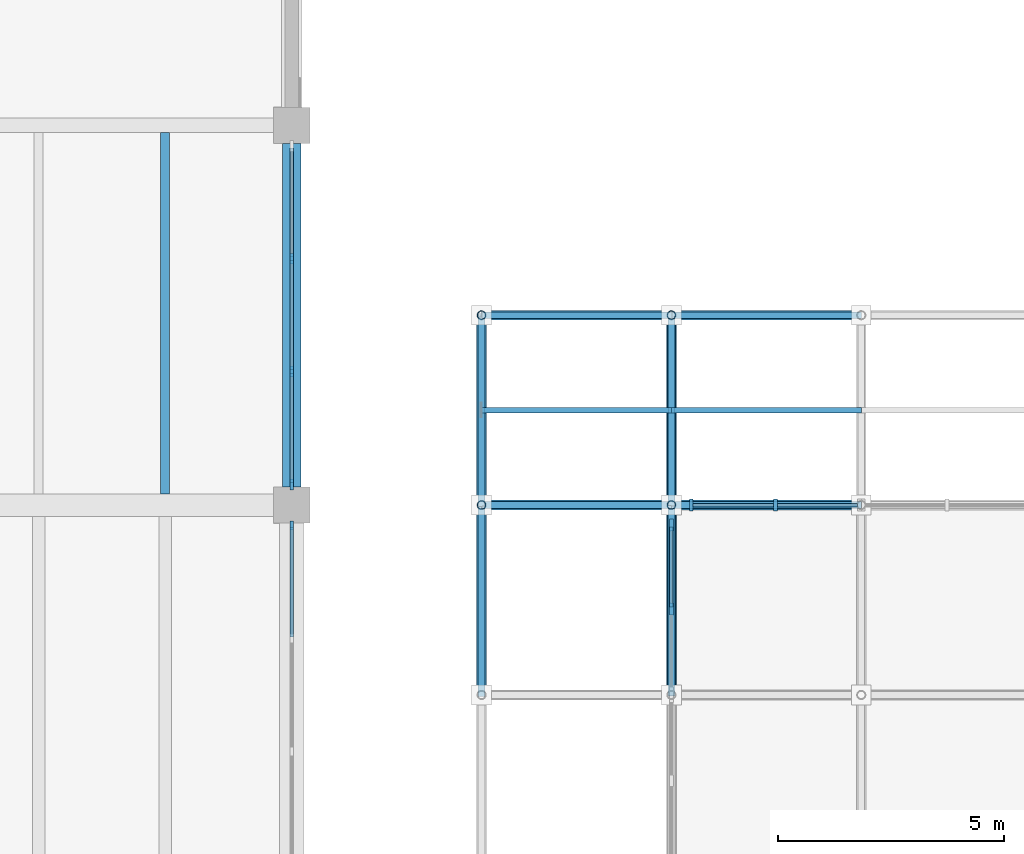
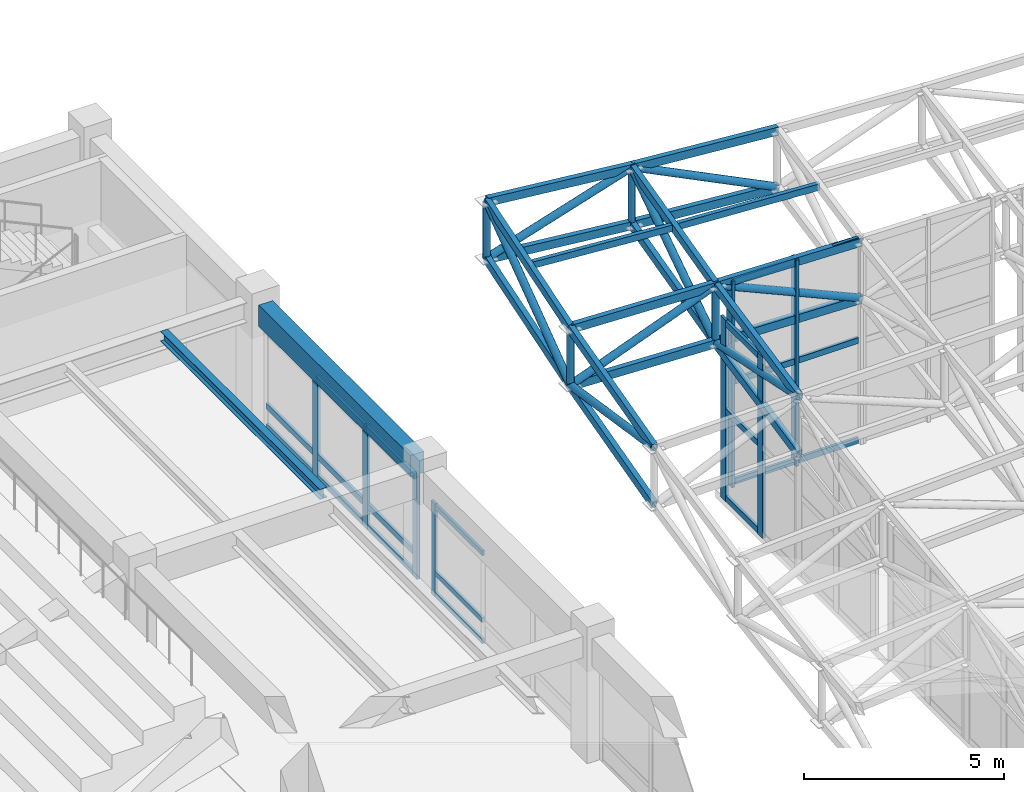
# One storey, part 30 of 132: 58 members, 2 beams, 4 elements without a shape of their own.
"""IFC4 building model written with IfcOpenShell, lengths in metres."""

from ifc_helpers import new_model, si_unit, direction, frame, origin, origin_2d, place, context, subcontext, project, spatial, rectangle, hollow_rectangle, hollow_circle, i_section, extrude, material, material_profile, profile_set, type_object, element, aggregate, save


model = new_model("IFC4")

# Units and contexts
model_context = context("Model", 3, precision=1e-05, world=origin(), true_north=direction((0.0, 1.0)))
body_context = subcontext(model_context, "Body", "Model", "MODEL_VIEW")
ifc_project = project(units=[si_unit("LENGTHUNIT", "METRE"), si_unit("AREAUNIT", "SQUARE_METRE"), si_unit("VOLUMEUNIT", "CUBIC_METRE"), si_unit("PLANEANGLEUNIT", "RADIAN"), si_unit("MASSUNIT", "GRAM", prefix="KILO")], contexts=[model_context])

# Site, building, storey
site_placement = place(None, origin())
site = spatial("IfcSite", under=ifc_project, at=site_placement, CompositionType="ELEMENT")
building_placement = place(site_placement, origin())
building = spatial("IfcBuilding", under=site, at=building_placement, Name="Cumbredor Promenade Congress Hotel", CompositionType="ELEMENT")
storey_placement = place(building_placement, frame((0.0, 0.0, 7.56005859375)))
storey = spatial("IfcBuildingStorey", under=building, at=storey_placement, Name="L02", CompositionType="ELEMENT", Elevation=7.56005859375)

# Beam
ifc_material_1 = material(Name="Concrete C40/50", Category="concrete")
ifc_material_profile_1 = material_profile(ifc_material_1, rectangle(XDim=0.39990234375, YDim=0.64990234375, at=origin_2d()), Name="RC BEAM 400x650")
ifc_profile_set_1 = profile_set([ifc_material_profile_1], Name="Concrete C40/50")
beam_type_1 = type_object("IfcBeamType", Name="BM-RC-400x650", PredefinedType="BEAM", material=ifc_profile_set_1)
beam_1_placement = place(storey_placement, frame((67.199951171875, 50.800048828125, 3.474853515625), z_axis=(0.0, 1.0, 0.0), x_axis=(-1.0, 0.0, 0.0)))
element("IfcBeam", 1, at=beam_1_placement, inside=storey, type_object=beam_type_1, Name="L03 Y-Grid Beam 120", PredefinedType="BEAM", context=body_context, shape_type="SweptSolid", body=[
    extrude(rectangle(XDim=0.39990234375, YDim=0.64990234375, at=origin_2d()), origin(), (0.0, 0.0, 1.0), 7.599853515625),
])

# Curtain wall, member
ifc_material_2 = material(Name="Thermally broken anodized aluminium and low-E glass", Category="aluminium")
curtain_wall_type_1 = type_object("IfcCurtainWallType", Name="Unitised Bronze Curtain Wall CW-01", PredefinedType="NOTDEFINED", material=ifc_material_2)
curtain_wall_1_placement = place(storey_placement, origin())
curtain_wall_1 = element("IfcCurtainWall", 2, at=curtain_wall_1_placement, inside=storey, type_object=curtain_wall_type_1, Name="L02 Plenary Congress Hall East Curtain Wall 5", PredefinedType="NOTDEFINED")
ifc_material_3 = material(Name="Thermally broken anodized aluminium", Category="aluminium")
ifc_material_profile_2 = material_profile(ifc_material_3, rectangle(XDim=0.074951171875, YDim=0.199951171875, at=origin_2d()), Name="ALU MULLION 75x200")
ifc_profile_set_2 = profile_set([ifc_material_profile_2], Name="Thermally broken anodized aluminium")
member_type_1 = type_object("IfcMemberType", Name="Curtain Wall Mullion ML-02", PredefinedType="MULLION", material=ifc_profile_set_2)
member_1_placement = place(storey_placement, frame((67.199951171875, 49.945068359375, -0.008056640625), z_axis=(0.0, 0.0, 1.0), x_axis=(1.0, 0.0, 0.0)))
member_1 = element("IfcMember", 3, at=member_1_placement, type_object=member_type_1, Name="L02 Plenary Congress Hall East Curtain Wall 5 Mullion 4", PredefinedType="MULLION", context=body_context, shape_type="SweptSolid", body=[
    extrude(rectangle(XDim=0.074951171875, YDim=0.199951171875, at=origin_2d()), origin(), (0.0, 0.0, 1.0), 2.85107421875),
])

# Curtain wall, members
curtain_wall_2_placement = place(storey_placement, origin())
curtain_wall_2 = element("IfcCurtainWall", 4, at=curtain_wall_2_placement, inside=storey, type_object=curtain_wall_type_1, Name="L02 Plenary Congress Hall East Curtain Wall 6", PredefinedType="NOTDEFINED")
ifc_material_profile_3 = material_profile(ifc_material_3, rectangle(XDim=0.080078125, YDim=0.239990234375, at=origin_2d()), Name="ALU MULLION 80x240")
ifc_profile_set_3 = profile_set([ifc_material_profile_3], Name="Thermally broken anodized aluminium")
member_type_2 = type_object("IfcMemberType", Name="Curtain Wall Mullion ML-03", PredefinedType="MULLION", material=ifc_profile_set_3)
member_2_placement = place(storey_placement, frame((67.199951171875, 50.85498046875, -0.008056640625), z_axis=(0.0, 0.0, 1.0), x_axis=(1.0, 0.0, 0.0)))
member_2 = element("IfcMember", 5, at=member_2_placement, type_object=member_type_2, Name="L02 Plenary Congress Hall East Curtain Wall 6 Mullion 1", PredefinedType="MULLION", context=body_context, shape_type="SweptSolid", body=[
    extrude(rectangle(XDim=0.080078125, YDim=0.239990234375, at=origin_2d()), origin(), (0.0, 0.0, 1.0), 3.15087890625),
])
member_3_placement = place(storey_placement, frame((67.199951171875, 53.351806640625, -0.008056640625), z_axis=(0.0, 0.0, 1.0), x_axis=(1.0, 0.0, 0.0)))
member_3 = element("IfcMember", 6, at=member_3_placement, type_object=member_type_2, Name="L02 Plenary Congress Hall East Curtain Wall 6 Mullion 2", PredefinedType="MULLION", context=body_context, shape_type="SweptSolid", body=[
    extrude(rectangle(XDim=0.080078125, YDim=0.239990234375, at=origin_2d()), origin(), (0.0, 0.0, 1.0), 3.15087890625),
])
member_4_placement = place(storey_placement, frame((67.199951171875, 55.848388671875, -0.008056640625), z_axis=(0.0, 0.0, 1.0), x_axis=(1.0, 0.0, 0.0)))
member_4 = element("IfcMember", 7, at=member_4_placement, type_object=member_type_2, Name="L02 Plenary Congress Hall East Curtain Wall 6 Mullion 3", PredefinedType="MULLION", context=body_context, shape_type="SweptSolid", body=[
    extrude(rectangle(XDim=0.080078125, YDim=0.239990234375, at=origin_2d()), origin(), (0.0, 0.0, 1.0), 3.15087890625),
])

curtain_wall_type_2 = type_object("IfcCurtainWallType", Name="Stepped Pavilion Clerestory Curtain Wall CW-06", PredefinedType="NOTDEFINED", material=ifc_material_2)
curtain_wall_3_placement = place(storey_placement, origin())
curtain_wall_3 = element("IfcCurtainWall", 8, at=curtain_wall_3_placement, inside=storey, type_object=curtain_wall_type_2, Name="Thermal Spa and Hydrotherapy Pavilion N Glazed Clerestory 1", PredefinedType="NOTDEFINED")
ifc_material_profile_4 = material_profile(ifc_material_3, rectangle(XDim=0.0849609375, YDim=0.260009765625, at=origin_2d()), Name="ALU MULLION CLERESTORY 85x260")
ifc_profile_set_4 = profile_set([ifc_material_profile_4], Name="Thermally broken anodized aluminium")
member_type_3 = type_object("IfcMemberType", Name="Curtain Wall Mullion ML-04", PredefinedType="MULLION", material=ifc_profile_set_4)
member_5_placement = place(storey_placement, frame((76.0400390625, 50.39990234375, -0.01806640625), z_axis=(0.0, 0.0, 1.0), x_axis=(1.0, 0.0, 0.0)))
member_5 = element("IfcMember", 9, at=member_5_placement, type_object=member_type_3, Name="Thermal Spa and Hydrotherapy Pavilion N Glazed Clerestory 1 Mullion 1", PredefinedType="MULLION", context=body_context, shape_type="SweptSolid", body=[
    extrude(rectangle(XDim=0.0849609375, YDim=0.260009765625, at=origin_2d()), origin(), (0.0, 0.0, 1.0), 6.31103515625),
])
member_6_placement = place(storey_placement, frame((77.89990234375, 50.39990234375, -0.01806640625), z_axis=(0.0, 0.0, 1.0), x_axis=(1.0, 0.0, 0.0)))
member_6 = element("IfcMember", 10, at=member_6_placement, type_object=member_type_3, Name="Thermal Spa and Hydrotherapy Pavilion N Glazed Clerestory 1 Mullion 2", PredefinedType="MULLION", context=body_context, shape_type="SweptSolid", body=[
    extrude(rectangle(XDim=0.0849609375, YDim=0.260009765625, at=origin_2d()), origin(), (0.0, 0.0, 1.0), 6.31103515625),
])

curtain_wall_4_placement = place(storey_placement, origin())
curtain_wall_4 = element("IfcCurtainWall", 11, at=curtain_wall_4_placement, inside=storey, type_object=curtain_wall_type_2, Name="Thermal Spa and Hydrotherapy Pavilion W Glazed Clerestory 10", PredefinedType="NOTDEFINED")
member_7_placement = place(storey_placement, frame((75.60009765625, 48.10009765625, -0.01806640625), z_axis=(0.0, 0.0, 1.0), x_axis=(1.0, 0.0, 0.0)))
member_7 = element("IfcMember", 12, at=member_7_placement, type_object=member_type_3, Name="Thermal Spa and Hydrotherapy Pavilion W Glazed Clerestory 10 Mullion 2", PredefinedType="MULLION", context=body_context, shape_type="SweptSolid", body=[
    extrude(rectangle(XDim=0.0849609375, YDim=0.260009765625, at=origin_2d()), origin(), (0.0, 0.0, 1.0), 5.54931640625),
])
member_8_placement = place(storey_placement, frame((75.60009765625, 49.9599609375, -0.01806640625), z_axis=(0.0, 0.0, 1.0), x_axis=(1.0, 0.0, 0.0)))
member_8 = element("IfcMember", 13, at=member_8_placement, type_object=member_type_3, Name="Thermal Spa and Hydrotherapy Pavilion W Glazed Clerestory 10 Mullion 3", PredefinedType="MULLION", context=body_context, shape_type="SweptSolid", body=[
    extrude(rectangle(XDim=0.0849609375, YDim=0.260009765625, at=origin_2d()), origin(), (0.0, 0.0, 1.0), 5.54931640625),
])

# Member
ifc_material_profile_5 = material_profile(ifc_material_3, rectangle(XDim=0.074951171875, YDim=0.14990234375, at=origin_2d()), Name="ALU TRANSOM 75x150")
ifc_profile_set_5 = profile_set([ifc_material_profile_5], Name="Thermally broken anodized aluminium")
member_type_4 = type_object("IfcMemberType", Name="Curtain Wall Transom TR-02", PredefinedType="USERDEFINED", material=ifc_profile_set_5)
member_9_placement = place(storey_placement, frame((67.199951171875, 47.48583984375, 0.06982421875), z_axis=(0.0, 1.0, 0.0), x_axis=(-1.0, 0.0, 0.0)))
member_9 = element("IfcMember", 14, at=member_9_placement, type_object=member_type_4, Name="L02 Plenary Congress Hall East Curtain Wall 5 Transom 3.1", ObjectType="TRANSOM", PredefinedType="USERDEFINED", context=body_context, shape_type="SweptSolid", body=[
    extrude(rectangle(XDim=0.074951171875, YDim=0.14990234375, at=origin_2d()), origin(), (0.0, 0.0, 1.0), 2.421630859375),
])

member_10_placement = place(storey_placement, frame((67.199951171875, 47.48583984375, 0.719970703125), z_axis=(0.0, 1.0, 0.0), x_axis=(-1.0, 0.0, 0.0)))
member_10 = element("IfcMember", 15, at=member_10_placement, type_object=member_type_4, Name="L02 Plenary Congress Hall East Curtain Wall 5 Transom 3.2", ObjectType="TRANSOM", PredefinedType="USERDEFINED", context=body_context, shape_type="SweptSolid", body=[
    extrude(rectangle(XDim=0.074951171875, YDim=0.14990234375, at=origin_2d()), origin(), (0.0, 0.0, 1.0), 2.421630859375),
])

member_11_placement = place(storey_placement, frame((67.199951171875, 47.48583984375, 2.760009765625), z_axis=(0.0, 1.0, 0.0), x_axis=(-1.0, 0.0, 0.0)))
member_11 = element("IfcMember", 16, at=member_11_placement, type_object=member_type_4, Name="L02 Plenary Congress Hall East Curtain Wall 5 Transom 3.3", ObjectType="TRANSOM", PredefinedType="USERDEFINED", context=body_context, shape_type="SweptSolid", body=[
    extrude(rectangle(XDim=0.074951171875, YDim=0.14990234375, at=origin_2d()), origin(), (0.0, 0.0, 1.0), 2.421630859375),
])

aggregate(curtain_wall_1, [member_1, member_9, member_10, member_11])

ifc_material_profile_6 = material_profile(ifc_material_3, rectangle(XDim=0.080078125, YDim=0.179931640625, at=origin_2d()), Name="ALU TRANSOM 80x180")
ifc_profile_set_6 = profile_set([ifc_material_profile_6], Name="Thermally broken anodized aluminium")
member_type_5 = type_object("IfcMemberType", Name="Curtain Wall Transom TR-03", PredefinedType="USERDEFINED", material=ifc_profile_set_6)
member_12_placement = place(storey_placement, frame((67.199951171875, 50.89501953125, 0.08984375), z_axis=(0.0, 1.0, 0.0), x_axis=(-1.0, 0.0, 0.0)))
member_12 = element("IfcMember", 17, at=member_12_placement, type_object=member_type_5, Name="L02 Plenary Congress Hall East Curtain Wall 6 Transom 1.1", ObjectType="TRANSOM", PredefinedType="USERDEFINED", context=body_context, shape_type="SweptSolid", body=[
    extrude(rectangle(XDim=0.080078125, YDim=0.179931640625, at=origin_2d()), origin(), (0.0, 0.0, 1.0), 2.416748046875),
])

member_13_placement = place(storey_placement, frame((67.199951171875, 50.89501953125, 0.719970703125), z_axis=(0.0, 1.0, 0.0), x_axis=(-1.0, 0.0, 0.0)))
member_13 = element("IfcMember", 18, at=member_13_placement, type_object=member_type_5, Name="L02 Plenary Congress Hall East Curtain Wall 6 Transom 1.2", ObjectType="TRANSOM", PredefinedType="USERDEFINED", context=body_context, shape_type="SweptSolid", body=[
    extrude(rectangle(XDim=0.080078125, YDim=0.179931640625, at=origin_2d()), origin(), (0.0, 0.0, 1.0), 2.416748046875),
])

member_14_placement = place(storey_placement, frame((67.199951171875, 50.89501953125, 3.050048828125), z_axis=(0.0, 1.0, 0.0), x_axis=(-1.0, 0.0, 0.0)))
member_14 = element("IfcMember", 19, at=member_14_placement, type_object=member_type_5, Name="L02 Plenary Congress Hall East Curtain Wall 6 Transom 1.3", ObjectType="TRANSOM", PredefinedType="USERDEFINED", context=body_context, shape_type="SweptSolid", body=[
    extrude(rectangle(XDim=0.080078125, YDim=0.179931640625, at=origin_2d()), origin(), (0.0, 0.0, 1.0), 2.416748046875),
])

member_15_placement = place(storey_placement, frame((67.199951171875, 53.3916015625, 0.08984375), z_axis=(0.0, 1.0, 0.0), x_axis=(-1.0, 0.0, 0.0)))
member_15 = element("IfcMember", 20, at=member_15_placement, type_object=member_type_5, Name="L02 Plenary Congress Hall East Curtain Wall 6 Transom 2.1", ObjectType="TRANSOM", PredefinedType="USERDEFINED", context=body_context, shape_type="SweptSolid", body=[
    extrude(rectangle(XDim=0.080078125, YDim=0.179931640625, at=origin_2d()), origin(), (0.0, 0.0, 1.0), 2.416748046875),
])

member_16_placement = place(storey_placement, frame((67.199951171875, 53.3916015625, 0.719970703125), z_axis=(0.0, 1.0, 0.0), x_axis=(-1.0, 0.0, 0.0)))
member_16 = element("IfcMember", 21, at=member_16_placement, type_object=member_type_5, Name="L02 Plenary Congress Hall East Curtain Wall 6 Transom 2.2", ObjectType="TRANSOM", PredefinedType="USERDEFINED", context=body_context, shape_type="SweptSolid", body=[
    extrude(rectangle(XDim=0.080078125, YDim=0.179931640625, at=origin_2d()), origin(), (0.0, 0.0, 1.0), 2.416748046875),
])

member_17_placement = place(storey_placement, frame((67.199951171875, 53.3916015625, 3.050048828125), z_axis=(0.0, 1.0, 0.0), x_axis=(-1.0, 0.0, 0.0)))
member_17 = element("IfcMember", 22, at=member_17_placement, type_object=member_type_5, Name="L02 Plenary Congress Hall East Curtain Wall 6 Transom 2.3", ObjectType="TRANSOM", PredefinedType="USERDEFINED", context=body_context, shape_type="SweptSolid", body=[
    extrude(rectangle(XDim=0.080078125, YDim=0.179931640625, at=origin_2d()), origin(), (0.0, 0.0, 1.0), 2.416748046875),
])

member_18_placement = place(storey_placement, frame((67.199951171875, 55.88818359375, 0.08984375), z_axis=(0.0, 1.0, 0.0), x_axis=(-1.0, 0.0, 0.0)))
member_18 = element("IfcMember", 23, at=member_18_placement, type_object=member_type_5, Name="L02 Plenary Congress Hall East Curtain Wall 6 Transom 3.1", ObjectType="TRANSOM", PredefinedType="USERDEFINED", context=body_context, shape_type="SweptSolid", body=[
    extrude(rectangle(XDim=0.080078125, YDim=0.179931640625, at=origin_2d()), origin(), (0.0, 0.0, 1.0), 2.416748046875),
])

member_19_placement = place(storey_placement, frame((67.199951171875, 55.88818359375, 0.719970703125), z_axis=(0.0, 1.0, 0.0), x_axis=(-1.0, 0.0, 0.0)))
member_19 = element("IfcMember", 24, at=member_19_placement, type_object=member_type_5, Name="L02 Plenary Congress Hall East Curtain Wall 6 Transom 3.2", ObjectType="TRANSOM", PredefinedType="USERDEFINED", context=body_context, shape_type="SweptSolid", body=[
    extrude(rectangle(XDim=0.080078125, YDim=0.179931640625, at=origin_2d()), origin(), (0.0, 0.0, 1.0), 2.416748046875),
])

aggregate(curtain_wall_2, [member_2, member_3, member_4, member_12, member_13, member_14, member_15, member_16, member_17, member_18, member_19])

member_20_placement = place(storey_placement, frame((76.08251953125, 50.39990234375, 0.079833984375), z_axis=(1.0, 0.0, 0.0), x_axis=(0.0, 1.0, 0.0)))
member_20 = element("IfcMember", 25, at=member_20_placement, type_object=member_type_5, Name="Thermal Spa and Hydrotherapy Pavilion N Glazed Clerestory 1 Transom 1.1", ObjectType="TRANSOM", PredefinedType="USERDEFINED", context=body_context, shape_type="SweptSolid", body=[
    extrude(rectangle(XDim=0.080078125, YDim=0.179931640625, at=origin_2d()), origin(), (0.0, 0.0, 1.0), 1.77490234375),
])

member_21_placement = place(storey_placement, frame((76.08251953125, 50.39990234375, 3.139892578125), z_axis=(1.0, 0.0, 0.0), x_axis=(0.0, 1.0, 0.0)))
member_21 = element("IfcMember", 26, at=member_21_placement, type_object=member_type_5, Name="Thermal Spa and Hydrotherapy Pavilion N Glazed Clerestory 1 Transom 1.2", ObjectType="TRANSOM", PredefinedType="USERDEFINED", context=body_context, shape_type="SweptSolid", body=[
    extrude(rectangle(XDim=0.080078125, YDim=0.179931640625, at=origin_2d()), origin(), (0.0, 0.0, 1.0), 1.77490234375),
])

member_22_placement = place(storey_placement, frame((76.08251953125, 50.39990234375, 6.199951171875), z_axis=(1.0, 0.0, 0.0), x_axis=(0.0, 1.0, 0.0)))
member_22 = element("IfcMember", 27, at=member_22_placement, type_object=member_type_5, Name="Thermal Spa and Hydrotherapy Pavilion N Glazed Clerestory 1 Transom 1.3", ObjectType="TRANSOM", PredefinedType="USERDEFINED", context=body_context, shape_type="SweptSolid", body=[
    extrude(rectangle(XDim=0.080078125, YDim=0.179931640625, at=origin_2d()), origin(), (0.0, 0.0, 1.0), 1.77490234375),
])

member_23_placement = place(storey_placement, frame((77.9423828125, 50.39990234375, 0.079833984375), z_axis=(1.0, 0.0, 0.0), x_axis=(0.0, 1.0, 0.0)))
member_23 = element("IfcMember", 28, at=member_23_placement, type_object=member_type_5, Name="Thermal Spa and Hydrotherapy Pavilion N Glazed Clerestory 1 Transom 2.1", ObjectType="TRANSOM", PredefinedType="USERDEFINED", context=body_context, shape_type="SweptSolid", body=[
    extrude(rectangle(XDim=0.080078125, YDim=0.179931640625, at=origin_2d()), origin(), (0.0, 0.0, 1.0), 1.775146484375),
])

member_24_placement = place(storey_placement, frame((77.9423828125, 50.39990234375, 3.139892578125), z_axis=(1.0, 0.0, 0.0), x_axis=(0.0, 1.0, 0.0)))
member_24 = element("IfcMember", 29, at=member_24_placement, type_object=member_type_5, Name="Thermal Spa and Hydrotherapy Pavilion N Glazed Clerestory 1 Transom 2.2", ObjectType="TRANSOM", PredefinedType="USERDEFINED", context=body_context, shape_type="SweptSolid", body=[
    extrude(rectangle(XDim=0.080078125, YDim=0.179931640625, at=origin_2d()), origin(), (0.0, 0.0, 1.0), 1.775146484375),
])

member_25_placement = place(storey_placement, frame((77.9423828125, 50.39990234375, 6.199951171875), z_axis=(1.0, 0.0, 0.0), x_axis=(0.0, 1.0, 0.0)))
member_25 = element("IfcMember", 30, at=member_25_placement, type_object=member_type_5, Name="Thermal Spa and Hydrotherapy Pavilion N Glazed Clerestory 1 Transom 2.3", ObjectType="TRANSOM", PredefinedType="USERDEFINED", context=body_context, shape_type="SweptSolid", body=[
    extrude(rectangle(XDim=0.080078125, YDim=0.179931640625, at=origin_2d()), origin(), (0.0, 0.0, 1.0), 1.775146484375),
])

aggregate(curtain_wall_3, [member_5, member_6, member_20, member_21, member_22, member_23, member_24, member_25])

member_26_placement = place(storey_placement, frame((75.60009765625, 48.142578125, 0.079833984375), z_axis=(0.0, 1.0, 0.0), x_axis=(-1.0, 0.0, 0.0)))
member_26 = element("IfcMember", 31, at=member_26_placement, type_object=member_type_5, Name="Thermal Spa and Hydrotherapy Pavilion W Glazed Clerestory 10 Transom 2.1", ObjectType="TRANSOM", PredefinedType="USERDEFINED", context=body_context, shape_type="SweptSolid", body=[
    extrude(rectangle(XDim=0.080078125, YDim=0.179931640625, at=origin_2d()), origin(), (0.0, 0.0, 1.0), 1.77490234375),
])

member_27_placement = place(storey_placement, frame((75.60009765625, 48.142578125, 2.75), z_axis=(0.0, 1.0, 0.0), x_axis=(-1.0, 0.0, 0.0)))
member_27 = element("IfcMember", 32, at=member_27_placement, type_object=member_type_5, Name="Thermal Spa and Hydrotherapy Pavilion W Glazed Clerestory 10 Transom 2.2", ObjectType="TRANSOM", PredefinedType="USERDEFINED", context=body_context, shape_type="SweptSolid", body=[
    extrude(rectangle(XDim=0.080078125, YDim=0.179931640625, at=origin_2d()), origin(), (0.0, 0.0, 1.0), 1.77490234375),
])

member_28_placement = place(storey_placement, frame((75.60009765625, 48.142578125, 5.429931640625), z_axis=(0.0, 1.0, 0.0), x_axis=(-1.0, 0.0, 0.0)))
member_28 = element("IfcMember", 33, at=member_28_placement, type_object=member_type_5, Name="Thermal Spa and Hydrotherapy Pavilion W Glazed Clerestory 10 Transom 2.3", ObjectType="TRANSOM", PredefinedType="USERDEFINED", context=body_context, shape_type="SweptSolid", body=[
    extrude(rectangle(XDim=0.080078125, YDim=0.179931640625, at=origin_2d()), origin(), (0.0, 0.0, 1.0), 1.77490234375),
])

aggregate(curtain_wall_4, [member_7, member_8, member_26, member_27, member_28])

# Beam
ifc_material_4 = material(Name="Steel ASTM A992 Grade 50", Category="steel")
ifc_material_profile_7 = material_profile(ifc_material_4, i_section(OverallWidth=0.202880859375, OverallDepth=0.302978515625, WebThickness=0.007568359375, FlangeThickness=0.01318359375, at=origin_2d()), Name="W12X40")
ifc_profile_set_7 = profile_set([ifc_material_profile_7], Name="Steel ASTM A992 Grade 50")
beam_type_2 = type_object("IfcBeamType", Name="JST-W12X40", PredefinedType="JOIST", material=ifc_profile_set_7)
beam_2_placement = place(storey_placement, frame((64.39990234375, 50.64990234375, 3.6484375), z_axis=(0.0, 1.0, 0.0), x_axis=(-1.0, 0.0, 0.0)))
element("IfcBeam", 34, at=beam_2_placement, inside=storey, type_object=beam_type_2, Name="L03 Secondary Floor Joist 0057", PredefinedType="JOIST", context=body_context, shape_type="SweptSolid", body=[
    extrude(i_section(OverallWidth=0.202880859375, OverallDepth=0.302978515625, WebThickness=0.007568359375, FlangeThickness=0.01318359375, at=origin_2d()), origin(), (0.0, 0.0, 1.0), 7.988037109375),
])

# Members
ifc_material_5 = material(Name="Steel ASTM A500 Grade C", Category="steel")
ifc_material_profile_8 = material_profile(ifc_material_5, hollow_rectangle(XDim=0.1201171875, YDim=0.199951171875, WallThickness=0.010009765625, at=origin_2d()), Name="HSS 200x120x10")
ifc_profile_set_8 = profile_set([ifc_material_profile_8], Name="Steel ASTM A500 Grade C")
member_type_6 = type_object("IfcMemberType", Name="Roof Purlin HSS200x120", PredefinedType="PURLIN", material=ifc_profile_set_8)
member_29_placement = place(storey_placement, frame((71.39990234375, 52.5, 7.062255859375), z_axis=(0.997588284187, 0.0, -0.069409043023), x_axis=(0.0, 1.0, 0.0)))
element("IfcMember", 35, at=member_29_placement, inside=storey, type_object=member_type_6, Name="Thermal Spa and Hydrotherapy Pavilion Roof Eave Purlin 1.13", PredefinedType="PURLIN", context=body_context, shape_type="SweptSolid", body=[
    extrude(hollow_rectangle(XDim=0.1201171875, YDim=0.199951171875, WallThickness=0.010009765625, at=origin_2d()), origin(), (0.0, 0.0, 1.0), 4.21044921875),
])
member_30_placement = place(storey_placement, frame((75.60009765625, 52.5, 6.77001953125), z_axis=(0.998569958899, 0.0, -0.05346061339), x_axis=(0.0, 1.0, 0.0)))
element("IfcMember", 36, at=member_30_placement, inside=storey, type_object=member_type_6, Name="Thermal Spa and Hydrotherapy Pavilion Roof Eave Purlin 2.13", PredefinedType="PURLIN", context=body_context, shape_type="SweptSolid", body=[
    extrude(hollow_rectangle(XDim=0.1201171875, YDim=0.199951171875, WallThickness=0.010009765625, at=origin_2d()), origin(), (0.0, 0.0, 1.0), 4.2060546875),
])
ifc_material_profile_9 = material_profile(ifc_material_5, hollow_rectangle(XDim=0.14990234375, YDim=0.25, WallThickness=0.012451171875, at=origin_2d()), Name="HSS 250x150x12.5")
ifc_profile_set_9 = profile_set([ifc_material_profile_9], Name="Steel ASTM A500 Grade C")
member_type_7 = type_object("IfcMemberType", Name="Spa Roof Space Frame Chord", PredefinedType="CHORD", material=ifc_profile_set_9)
for number, where, z_axis, x_axis, name in (
    (37, (71.39990234375, 50.39990234375, 6.414794921875), (0.999313082109, 0.0, -0.03705892504), (0.0, 1.0, 0.0), "Thermal Spa and Hydrotherapy Pavilion X Top Chord 1.13"),
    (38, (71.39990234375, 50.39990234375, 4.664794921875), (0.999313082109, 0.0, -0.03705892504), (0.0, 1.0, 0.0), "Thermal Spa and Hydrotherapy Pavilion X Bottom Chord 1.13"),
):
    element("IfcMember", number, at=place(storey_placement, frame(where, z_axis=z_axis, x_axis=x_axis)), inside=storey, type_object=member_type_7, Name=name, PredefinedType="CHORD", context=body_context, shape_type="SweptSolid", body=[
        extrude(hollow_rectangle(XDim=0.14990234375, YDim=0.25, WallThickness=0.012451171875, at=origin_2d()), origin(), (0.0, 0.0, 1.0), 4.203125),
    ])
for number, where, z_axis, x_axis, name in (
    (39, (75.60009765625, 50.39990234375, 6.259033203125), (0.999612581625, 0.0, -0.027833193431), (0.0, 1.0, 0.0), "Thermal Spa and Hydrotherapy Pavilion X Top Chord 2.13"),
    (40, (75.60009765625, 50.39990234375, 4.509033203125), (0.999612581625, 0.0, -0.027833193431), (0.0, 1.0, 0.0), "Thermal Spa and Hydrotherapy Pavilion X Bottom Chord 2.13"),
):
    element("IfcMember", number, at=place(storey_placement, frame(where, z_axis=z_axis, x_axis=x_axis)), inside=storey, type_object=member_type_7, Name=name, PredefinedType="CHORD", context=body_context, shape_type="SweptSolid", body=[
        extrude(hollow_rectangle(XDim=0.14990234375, YDim=0.25, WallThickness=0.012451171875, at=origin_2d()), origin(), (0.0, 0.0, 1.0), 4.20166015625),
    ])
for number, where, z_axis, x_axis, name in (
    (41, (71.39990234375, 54.60009765625, 7.749755859375), (0.994831281844, 0.0, -0.10154171884), (0.0, 1.0, 0.0), "Thermal Spa and Hydrotherapy Pavilion X Top Chord 1.14"),
    (42, (71.39990234375, 54.60009765625, 5.999755859375), (0.994831281844, 0.0, -0.10154171884), (0.0, 1.0, 0.0), "Thermal Spa and Hydrotherapy Pavilion X Bottom Chord 1.14"),
):
    element("IfcMember", number, at=place(storey_placement, frame(where, z_axis=z_axis, x_axis=x_axis)), inside=storey, type_object=member_type_7, Name=name, PredefinedType="CHORD", context=body_context, shape_type="SweptSolid", body=[
        extrude(hollow_rectangle(XDim=0.14990234375, YDim=0.25, WallThickness=0.012451171875, at=origin_2d()), origin(), (0.0, 0.0, 1.0), 4.221923828125),
    ])
for number, where, z_axis, x_axis, name in (
    (43, (75.60009765625, 54.60009765625, 7.321044921875), (0.996875975004, 0.0, -0.07898284915), (0.0, 1.0, 0.0), "Thermal Spa and Hydrotherapy Pavilion X Top Chord 2.14"),
    (44, (75.60009765625, 54.60009765625, 5.571044921875), (0.996875975004, 0.0, -0.07898284915), (0.0, 1.0, 0.0), "Thermal Spa and Hydrotherapy Pavilion X Bottom Chord 2.14"),
):
    element("IfcMember", number, at=place(storey_placement, frame(where, z_axis=z_axis, x_axis=x_axis)), inside=storey, type_object=member_type_7, Name=name, PredefinedType="CHORD", context=body_context, shape_type="SweptSolid", body=[
        extrude(hollow_rectangle(XDim=0.14990234375, YDim=0.25, WallThickness=0.012451171875, at=origin_2d()), origin(), (0.0, 0.0, 1.0), 4.213134765625),
    ])
for number, where, z_axis, x_axis, name in (
    (45, (71.39990234375, 46.199951171875, 5.30615234375), (0.0, 0.966882060335, 0.255223591), (-1.0, 0.0, 0.0), "Thermal Spa and Hydrotherapy Pavilion Y Top Chord 1.12"),
    (46, (71.39990234375, 46.199951171875, 3.55615234375), (0.0, 0.966882060335, 0.255223591), (-1.0, 0.0, 0.0), "Thermal Spa and Hydrotherapy Pavilion Y Bottom Chord 1.12"),
):
    element("IfcMember", number, at=place(storey_placement, frame(where, z_axis=z_axis, x_axis=x_axis)), inside=storey, type_object=member_type_7, Name=name, PredefinedType="CHORD", context=body_context, shape_type="SweptSolid", body=[
        extrude(hollow_rectangle(XDim=0.14990234375, YDim=0.25, WallThickness=0.012451171875, at=origin_2d()), origin(), (0.0, 0.0, 1.0), 4.34375),
    ])
for number, where, z_axis, x_axis, name in (
    (47, (71.39990234375, 50.39990234375, 6.414794921875), (0.0, 0.953021764697, 0.302901825701), (-1.0, 0.0, 0.0), "Thermal Spa and Hydrotherapy Pavilion Y Top Chord 1.13"),
    (48, (71.39990234375, 50.39990234375, 4.664794921875), (0.0, 0.953021764697, 0.302901825701), (-1.0, 0.0, 0.0), "Thermal Spa and Hydrotherapy Pavilion Y Bottom Chord 1.13"),
):
    element("IfcMember", number, at=place(storey_placement, frame(where, z_axis=z_axis, x_axis=x_axis)), inside=storey, type_object=member_type_7, Name=name, PredefinedType="CHORD", context=body_context, shape_type="SweptSolid", body=[
        extrude(hollow_rectangle(XDim=0.14990234375, YDim=0.25, WallThickness=0.012451171875, at=origin_2d()), origin(), (0.0, 0.0, 1.0), 4.4072265625),
    ])
for number, where, z_axis, x_axis, name in (
    (49, (75.60009765625, 46.199951171875, 5.380126953125), (0.0, 0.97879778836, 0.204828927402), (-1.0, 0.0, 0.0), "Thermal Spa and Hydrotherapy Pavilion Y Top Chord 2.12"),
    (50, (75.60009765625, 46.199951171875, 3.630126953125), (0.0, 0.97879778836, 0.204828927402), (-1.0, 0.0, 0.0), "Thermal Spa and Hydrotherapy Pavilion Y Bottom Chord 2.12"),
):
    element("IfcMember", number, at=place(storey_placement, frame(where, z_axis=z_axis, x_axis=x_axis)), inside=storey, type_object=member_type_7, Name=name, PredefinedType="CHORD", context=body_context, shape_type="SweptSolid", body=[
        extrude(hollow_rectangle(XDim=0.14990234375, YDim=0.25, WallThickness=0.012451171875, at=origin_2d()), origin(), (0.0, 0.0, 1.0), 4.291015625),
    ])
for number, where, z_axis, x_axis, name in (
    (51, (75.60009765625, 50.39990234375, 6.259033203125), (0.0, 0.969489307426, 0.245133601913), (-1.0, 0.0, 0.0), "Thermal Spa and Hydrotherapy Pavilion Y Top Chord 2.13"),
    (52, (75.60009765625, 50.39990234375, 4.509033203125), (0.0, 0.969489307426, 0.245133601913), (-1.0, 0.0, 0.0), "Thermal Spa and Hydrotherapy Pavilion Y Bottom Chord 2.13"),
):
    element("IfcMember", number, at=place(storey_placement, frame(where, z_axis=z_axis, x_axis=x_axis)), inside=storey, type_object=member_type_7, Name=name, PredefinedType="CHORD", context=body_context, shape_type="SweptSolid", body=[
        extrude(hollow_rectangle(XDim=0.14990234375, YDim=0.25, WallThickness=0.012451171875, at=origin_2d()), origin(), (0.0, 0.0, 1.0), 4.332275390625),
    ])
ifc_material_profile_10 = material_profile(ifc_material_5, hollow_circle(Radius=0.109619140625, WallThickness=0.012451171875, at=origin_2d()), Name="CHS 219.1x12.5")
ifc_profile_set_10 = profile_set([ifc_material_profile_10], Name="Steel ASTM A500 Grade C")
member_type_8 = type_object("IfcMemberType", Name="Space Frame Web Diagonal D1", PredefinedType="BRACE", material=ifc_profile_set_10)
member_31_placement = place(storey_placement, frame((71.39990234375, 50.39990234375, 4.664794921875), z_axis=(0.934919208754, 0.0, 0.354860638989), x_axis=(0.0, 1.0, 0.0)))
element("IfcMember", 53, at=member_31_placement, inside=storey, type_object=member_type_8, Name="Thermal Spa and Hydrotherapy Pavilion X Web Diagonal 1.13", PredefinedType="BRACE", context=body_context, shape_type="SweptSolid", body=[
    extrude(hollow_circle(Radius=0.109619140625, WallThickness=0.012451171875, at=origin_2d()), origin(), (0.0, 0.0, 1.0), 4.49267578125),
])
member_32_placement = place(storey_placement, frame((75.60009765625, 50.39990234375, 6.259033203125), z_axis=(0.913787452289, 0.0, -0.406192678466), x_axis=(0.0, 1.0, 0.0)))
element("IfcMember", 54, at=member_32_placement, inside=storey, type_object=member_type_8, Name="Thermal Spa and Hydrotherapy Pavilion X Web Diagonal 2.13", PredefinedType="BRACE", context=body_context, shape_type="SweptSolid", body=[
    extrude(hollow_circle(Radius=0.109619140625, WallThickness=0.012451171875, at=origin_2d()), origin(), (0.0, 0.0, 1.0), 4.59619140625),
])
member_33_placement = place(storey_placement, frame((71.39990234375, 54.60009765625, 5.999755859375), z_axis=(0.953913931434, 0.0, 0.300080341602), x_axis=(0.0, 1.0, 0.0)))
element("IfcMember", 55, at=member_33_placement, inside=storey, type_object=member_type_8, Name="Thermal Spa and Hydrotherapy Pavilion X Web Diagonal 1.14", PredefinedType="BRACE", context=body_context, shape_type="SweptSolid", body=[
    extrude(hollow_circle(Radius=0.109619140625, WallThickness=0.012451171875, at=origin_2d()), origin(), (0.0, 0.0, 1.0), 4.403076171875),
])
member_34_placement = place(storey_placement, frame((75.60009765625, 54.60009765625, 7.321044921875), z_axis=(0.89589095667, 0.0, -0.444274007519), x_axis=(0.0, 1.0, 0.0)))
element("IfcMember", 56, at=member_34_placement, inside=storey, type_object=member_type_8, Name="Thermal Spa and Hydrotherapy Pavilion X Web Diagonal 2.14", PredefinedType="BRACE", context=body_context, shape_type="SweptSolid", body=[
    extrude(hollow_circle(Radius=0.109619140625, WallThickness=0.012451171875, at=origin_2d()), origin(), (0.0, 0.0, 1.0), 4.68798828125),
])
member_35_placement = place(storey_placement, frame((71.39990234375, 46.199951171875, 5.30615234375), z_axis=(0.0, 0.988540484671, -0.150955987516), x_axis=(-1.0, 0.0, 0.0)))
element("IfcMember", 57, at=member_35_placement, inside=storey, type_object=member_type_8, Name="Thermal Spa and Hydrotherapy Pavilion Y Web Diagonal 1.12", PredefinedType="BRACE", context=body_context, shape_type="SweptSolid", body=[
    extrude(hollow_circle(Radius=0.109619140625, WallThickness=0.012451171875, at=origin_2d()), origin(), (0.0, 0.0, 1.0), 4.24853515625),
])
member_36_placement = place(storey_placement, frame((71.39990234375, 50.39990234375, 4.664794921875), z_axis=(0.0, 0.805963918103, 0.591964663401), x_axis=(-1.0, 0.0, 0.0)))
element("IfcMember", 58, at=member_36_placement, inside=storey, type_object=member_type_8, Name="Thermal Spa and Hydrotherapy Pavilion Y Web Diagonal 1.13", PredefinedType="BRACE", context=body_context, shape_type="SweptSolid", body=[
    extrude(hollow_circle(Radius=0.109619140625, WallThickness=0.012451171875, at=origin_2d()), origin(), (0.0, 0.0, 1.0), 5.21142578125),
])
member_37_placement = place(storey_placement, frame((75.60009765625, 46.199951171875, 5.380126953125), z_axis=(0.0, 0.979161393895, -0.20308363968), x_axis=(-1.0, 0.0, 0.0)))
element("IfcMember", 59, at=member_37_placement, inside=storey, type_object=member_type_8, Name="Thermal Spa and Hydrotherapy Pavilion Y Web Diagonal 2.12", PredefinedType="BRACE", context=body_context, shape_type="SweptSolid", body=[
    extrude(hollow_circle(Radius=0.109619140625, WallThickness=0.012451171875, at=origin_2d()), origin(), (0.0, 0.0, 1.0), 4.289306640625),
])
member_38_placement = place(storey_placement, frame((75.60009765625, 50.39990234375, 4.509033203125), z_axis=(0.0, 0.830963796764, 0.556326494486), x_axis=(-1.0, 0.0, 0.0)))
element("IfcMember", 60, at=member_38_placement, inside=storey, type_object=member_type_8, Name="Thermal Spa and Hydrotherapy Pavilion Y Web Diagonal 2.13", PredefinedType="BRACE", context=body_context, shape_type="SweptSolid", body=[
    extrude(hollow_circle(Radius=0.109619140625, WallThickness=0.012451171875, at=origin_2d()), origin(), (0.0, 0.0, 1.0), 5.0546875),
])
ifc_material_profile_11 = material_profile(ifc_material_5, hollow_circle(Radius=0.096923828125, WallThickness=0.010009765625, at=origin_2d()), Name="CHS 193.7x10")
ifc_profile_set_11 = profile_set([ifc_material_profile_11], Name="Steel ASTM A500 Grade C")
member_type_9 = type_object("IfcMemberType", Name="Space Frame Web Post P1", PredefinedType="BRACE", material=ifc_profile_set_11)
for number, where, z_axis, x_axis, name in (
    (61, (71.39990234375, 50.39990234375, 4.664794921875), (0.0, 0.0, 1.0), (1.0, 0.0, 0.0), "Thermal Spa and Hydrotherapy Pavilion Space Frame Web Post 1.13"),
    (62, (71.39990234375, 54.60009765625, 5.999755859375), (0.0, 0.0, 1.0), (1.0, 0.0, 0.0), "Thermal Spa and Hydrotherapy Pavilion Space Frame Web Post 1.14"),
    (63, (75.60009765625, 50.39990234375, 4.509033203125), (0.0, 0.0, 1.0), (1.0, 0.0, 0.0), "Thermal Spa and Hydrotherapy Pavilion Space Frame Web Post 2.13"),
    (64, (75.60009765625, 54.60009765625, 5.571044921875), (0.0, 0.0, 1.0), (1.0, 0.0, 0.0), "Thermal Spa and Hydrotherapy Pavilion Space Frame Web Post 2.14"),
):
    element("IfcMember", number, at=place(storey_placement, frame(where, z_axis=z_axis, x_axis=x_axis)), inside=storey, type_object=member_type_9, Name=name, PredefinedType="BRACE", context=body_context, shape_type="SweptSolid", body=[
        extrude(hollow_circle(Radius=0.096923828125, WallThickness=0.010009765625, at=origin_2d()), origin(), (0.0, 0.0, 1.0), 1.75),
    ])

save(model, "model.ifc")
